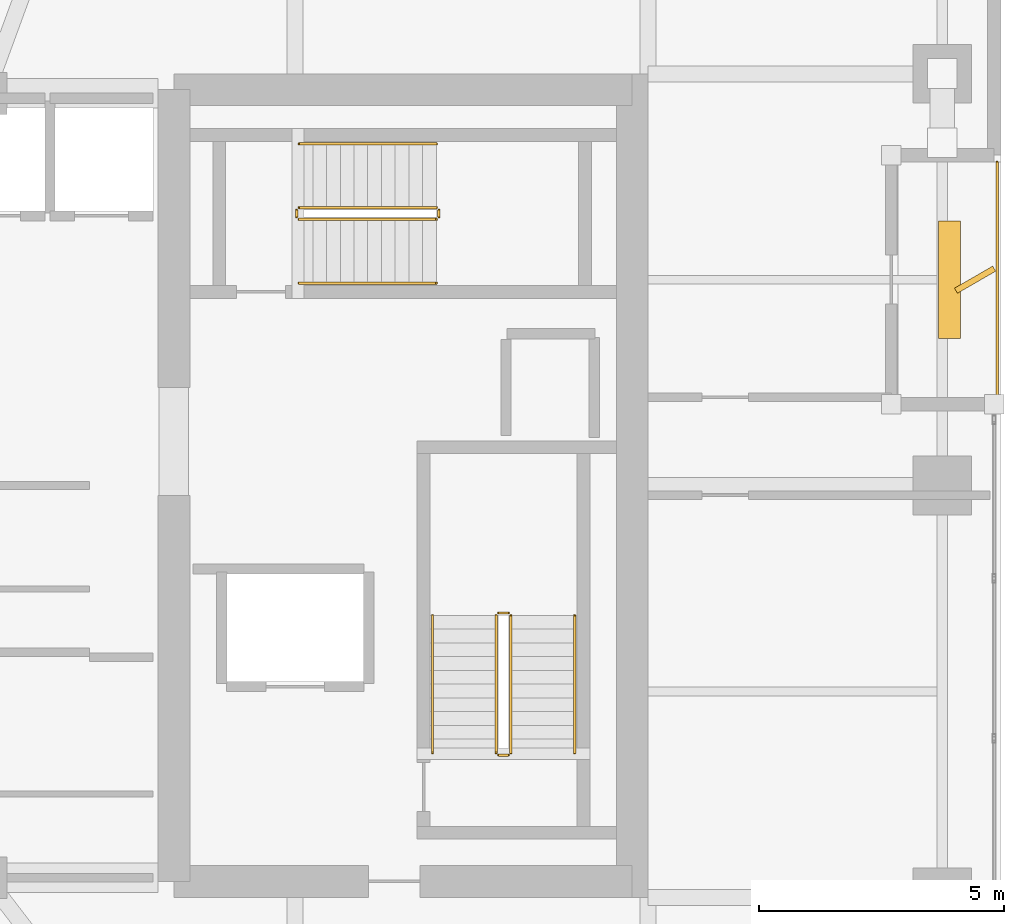
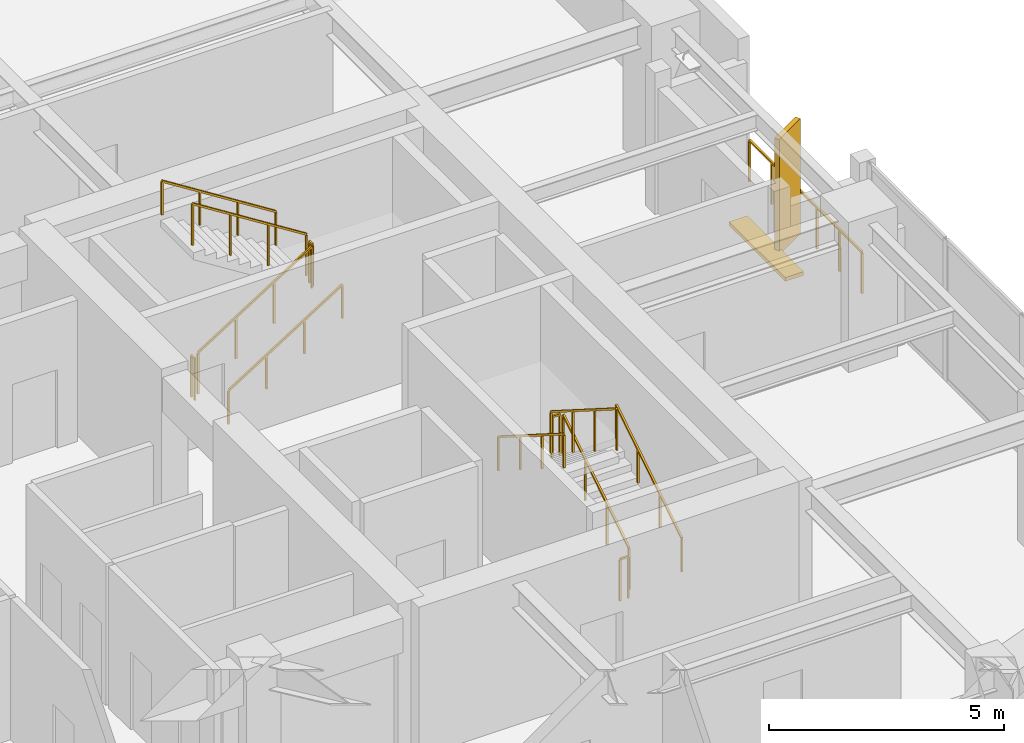
# One storey, part 29 of 30: 13 railings, 2 shading devices.
"""IFC4 building model written with IfcOpenShell, lengths in metres."""

from ifc_helpers import new_model, si_unit, direction, frame, origin, origin_2d, place, context, subcontext, project, spatial, rectangle, extrude, material, type_object, element, save


model = new_model("IFC4")

# Units and contexts
model_context = context("Model", 3, precision=1e-05, world=origin(), true_north=direction((0.0, 1.0)))
body_context = subcontext(model_context, "Body", "Model", "MODEL_VIEW")
ifc_project = project(units=[si_unit("LENGTHUNIT", "METRE"), si_unit("AREAUNIT", "SQUARE_METRE"), si_unit("VOLUMEUNIT", "CUBIC_METRE"), si_unit("PLANEANGLEUNIT", "RADIAN"), si_unit("MASSUNIT", "GRAM", prefix="KILO")], contexts=[model_context])

# Site, building, storey
site_placement = place(None, origin())
site = spatial("IfcSite", under=ifc_project, at=site_placement, CompositionType="ELEMENT")
building_placement = place(site_placement, origin())
building = spatial("IfcBuilding", under=site, at=building_placement, Name="Kiyonajd Concourse Tower", CompositionType="ELEMENT")
storey_placement = place(building_placement, frame((0.0, 0.0, 201.89990234375)))
storey = spatial("IfcBuildingStorey", under=building, at=storey_placement, Name="L51", CompositionType="ELEMENT", Elevation=201.89990234375)

# Railings
ifc_material_1 = material(Name="Thermally Broken Anodised Aluminium", Category="aluminium")
railing_type_1 = type_object("IfcRailingType", Name="RL-GRD-LOG", PredefinedType="GUARDRAIL", material=ifc_material_1)
railing_1_placement = place(storey_placement, frame((70.719970703125, 37.800048828125, 0.0)))
element("IfcRailing", 1, at=railing_1_placement, inside=storey, type_object=railing_type_1, Name="L51 Engawa Loggia Perimeter Guard LOG-E", PredefinedType="GUARDRAIL", context=body_context, shape_type="SweptSolid", body=[
    extrude(rectangle(XDim=0.048095703125, YDim=0.048095703125, at=origin_2d()), frame((0.0, 0.0, 1.076171875), z_axis=(0.0, 1.0, 0.0), x_axis=(-1.0, 0.0, 0.0)), (0.0, 0.0, 1.0), 4.800048828125),
    extrude(rectangle(XDim=0.0419921875, YDim=0.0419921875, at=origin_2d()), origin(), (0.0, 0.0, 1.0), 1.052001953125),
    extrude(rectangle(XDim=0.0419921875, YDim=0.0419921875, at=origin_2d()), frame((0.0, 0.9599609375, 0.0)), (0.0, 0.0, 1.0), 1.052001953125),
    extrude(rectangle(XDim=0.0419921875, YDim=0.0419921875, at=origin_2d()), frame((0.0, 1.919921875, 0.0)), (0.0, 0.0, 1.0), 1.052001953125),
    extrude(rectangle(XDim=0.0419921875, YDim=0.0419921875, at=origin_2d()), frame((0.0, 2.880126953125, 0.0)), (0.0, 0.0, 1.0), 1.052001953125),
    extrude(rectangle(XDim=0.0419921875, YDim=0.0419921875, at=origin_2d()), frame((0.0, 3.840087890625, 0.0)), (0.0, 0.0, 1.0), 1.052001953125),
    extrude(rectangle(XDim=0.0419921875, YDim=0.0419921875, at=origin_2d()), frame((0.0, 4.800048828125, 0.0)), (0.0, 0.0, 1.0), 1.052001953125),
])
ifc_material_2 = material(Name="Steel ASTM A500 Grade C", Category="steel")
railing_type_2 = type_object("IfcRailingType", Name="RL-GRD-STR", PredefinedType="GUARDRAIL", material=ifc_material_2)
railing_2_placement = place(storey_placement, frame((60.800048828125, 30.550048828125, 0.177490234375)))
element("IfcRailing", 2, at=railing_2_placement, inside=storey, type_object=railing_type_2, Name="L51 ST2 stair guard 1", PredefinedType="GUARDRAIL", context=body_context, shape_type="SweptSolid", body=[
    extrude(rectangle(XDim=0.048095703125, YDim=0.048095703125, at=origin_2d()), frame((0.0, 0.0, 1.076171875), z_axis=(0.0, 0.844908973607, 0.534910110503), x_axis=(-1.0, 0.0, 0.0)), (0.0, 0.0, 1.0), 3.31396484375),
    extrude(rectangle(XDim=0.0419921875, YDim=0.0419921875, at=origin_2d()), origin(), (0.0, 0.0, 1.0), 1.052001953125),
    extrude(rectangle(XDim=0.0419921875, YDim=0.0419921875, at=origin_2d()), frame((0.0, 0.933349609375, 0.5908203125)), (0.0, 0.0, 1.0), 1.052001953125),
    extrude(rectangle(XDim=0.0419921875, YDim=0.0419921875, at=origin_2d()), frame((0.0, 1.86669921875, 1.181884765625)), (0.0, 0.0, 1.0), 1.052001953125),
    extrude(rectangle(XDim=0.0419921875, YDim=0.0419921875, at=origin_2d()), frame((0.0, 2.800048828125, 1.772705078125)), (0.0, 0.0, 1.0), 1.052001953125),
])
railing_3_placement = place(storey_placement, frame((60.75, 33.39990234375, 1.9501953125)))
element("IfcRailing", 3, at=railing_3_placement, inside=storey, type_object=railing_type_2, Name="L51 ST2 stair guard 2", PredefinedType="GUARDRAIL", context=body_context, shape_type="SweptSolid", body=[
    extrude(rectangle(XDim=0.048095703125, YDim=0.048095703125, at=origin_2d()), frame((0.0, 0.0, 1.076171875), z_axis=(-1.0, 0.0, 0.0), x_axis=(0.0, -1.0, 0.0)), (0.0, 0.0, 1.0), 0.199951171875),
    extrude(rectangle(XDim=0.0419921875, YDim=0.0419921875, at=origin_2d()), origin(), (0.0, 0.0, 1.0), 1.052001953125),
    extrude(rectangle(XDim=0.0419921875, YDim=0.0419921875, at=origin_2d()), frame((-0.199951171875, 0.0, 0.0)), (0.0, 0.0, 1.0), 1.052001953125),
])
railing_4_placement = place(storey_placement, frame((60.5, 33.35009765625, 2.12744140625)))
element("IfcRailing", 4, at=railing_4_placement, inside=storey, type_object=railing_type_2, Name="L51 ST2 stair guard 3", PredefinedType="GUARDRAIL", context=body_context, shape_type="SweptSolid", body=[
    extrude(rectangle(XDim=0.048095703125, YDim=0.048095703125, at=origin_2d()), frame((0.0, 0.0, 1.076171875), z_axis=(0.0, -0.844908973607, 0.534910110503), x_axis=(1.0, 0.0, 0.0)), (0.0, 0.0, 1.0), 3.31396484375),
    extrude(rectangle(XDim=0.0419921875, YDim=0.0419921875, at=origin_2d()), origin(), (0.0, 0.0, 1.0), 1.052001953125),
    extrude(rectangle(XDim=0.0419921875, YDim=0.0419921875, at=origin_2d()), frame((0.0, -0.933349609375, 0.5908203125)), (0.0, 0.0, 1.0), 1.052001953125),
    extrude(rectangle(XDim=0.0419921875, YDim=0.0419921875, at=origin_2d()), frame((0.0, -1.86669921875, 1.181884765625)), (0.0, 0.0, 1.0), 1.052001953125),
    extrude(rectangle(XDim=0.0419921875, YDim=0.0419921875, at=origin_2d()), frame((0.0, -2.800048828125, 1.772705078125)), (0.0, 0.0, 1.0), 1.052001953125),
])
railing_5_placement = place(storey_placement, frame((60.75, 30.5, 0.0)))
element("IfcRailing", 5, at=railing_5_placement, inside=storey, type_object=railing_type_2, Name="L51 ST2 stair guard 4", PredefinedType="GUARDRAIL", context=body_context, shape_type="SweptSolid", body=[
    extrude(rectangle(XDim=0.048095703125, YDim=0.048095703125, at=origin_2d()), frame((0.0, 0.0, 1.076171875), z_axis=(-1.0, 0.0, 0.0), x_axis=(0.0, -1.0, 0.0)), (0.0, 0.0, 1.0), 0.199951171875),
    extrude(rectangle(XDim=0.0419921875, YDim=0.0419921875, at=origin_2d()), origin(), (0.0, 0.0, 1.0), 1.052001953125),
    extrude(rectangle(XDim=0.0419921875, YDim=0.0419921875, at=origin_2d()), frame((-0.199951171875, 0.0, 0.0)), (0.0, 0.0, 1.0), 1.052001953125),
])
railing_6_placement = place(storey_placement, frame((56.47998046875, 41.429931640625, 0.177490234375)))
element("IfcRailing", 6, at=railing_6_placement, inside=storey, type_object=railing_type_2, Name="L51 ST3 stair guard 1", PredefinedType="GUARDRAIL", context=body_context, shape_type="SweptSolid", body=[
    extrude(rectangle(XDim=0.048095703125, YDim=0.048095703125, at=origin_2d()), frame((0.0, 0.0, 1.076171875), z_axis=(0.844908973607, 0.0, 0.534910110503), x_axis=(0.0, 1.0, 0.0)), (0.0, 0.0, 1.0), 3.31396484375),
    extrude(rectangle(XDim=0.0419921875, YDim=0.0419921875, at=origin_2d()), origin(), (0.0, 0.0, 1.0), 1.052001953125),
    extrude(rectangle(XDim=0.0419921875, YDim=0.0419921875, at=origin_2d()), frame((0.933349609375, 0.0, 0.5908203125)), (0.0, 0.0, 1.0), 1.052001953125),
    extrude(rectangle(XDim=0.0419921875, YDim=0.0419921875, at=origin_2d()), frame((1.86669921875, 0.0, 1.181884765625)), (0.0, 0.0, 1.0), 1.052001953125),
    extrude(rectangle(XDim=0.0419921875, YDim=0.0419921875, at=origin_2d()), frame((2.800048828125, 0.0, 1.772705078125)), (0.0, 0.0, 1.0), 1.052001953125),
])
railing_7_placement = place(storey_placement, frame((59.330078125, 41.47998046875, 1.9501953125)))
element("IfcRailing", 7, at=railing_7_placement, inside=storey, type_object=railing_type_2, Name="L51 ST3 stair guard 2", PredefinedType="GUARDRAIL", context=body_context, shape_type="SweptSolid", body=[
    extrude(rectangle(XDim=0.048095703125, YDim=0.048095703125, at=origin_2d()), frame((0.0, 0.0, 1.076171875), z_axis=(0.0, 1.0, 0.0), x_axis=(-1.0, 0.0, 0.0)), (0.0, 0.0, 1.0), 0.14013671875),
    extrude(rectangle(XDim=0.0419921875, YDim=0.0419921875, at=origin_2d()), origin(), (0.0, 0.0, 1.0), 1.052001953125),
    extrude(rectangle(XDim=0.0419921875, YDim=0.0419921875, at=origin_2d()), frame((0.0, 0.14013671875, 0.0)), (0.0, 0.0, 1.0), 1.052001953125),
])
railing_8_placement = place(storey_placement, frame((59.280029296875, 41.669921875, 2.12744140625)))
element("IfcRailing", 8, at=railing_8_placement, inside=storey, type_object=railing_type_2, Name="L51 ST3 stair guard 3", PredefinedType="GUARDRAIL", context=body_context, shape_type="SweptSolid", body=[
    extrude(rectangle(XDim=0.048095703125, YDim=0.048095703125, at=origin_2d()), frame((0.0, 0.0, 1.076171875), z_axis=(-0.844908973607, 0.0, 0.534910110503), x_axis=(0.0, -1.0, 0.0)), (0.0, 0.0, 1.0), 3.31396484375),
    extrude(rectangle(XDim=0.0419921875, YDim=0.0419921875, at=origin_2d()), origin(), (0.0, 0.0, 1.0), 1.052001953125),
    extrude(rectangle(XDim=0.0419921875, YDim=0.0419921875, at=origin_2d()), frame((-0.933349609375, 0.0, 0.5908203125)), (0.0, 0.0, 1.0), 1.052001953125),
    extrude(rectangle(XDim=0.0419921875, YDim=0.0419921875, at=origin_2d()), frame((-1.86669921875, 0.0, 1.181884765625)), (0.0, 0.0, 1.0), 1.052001953125),
    extrude(rectangle(XDim=0.0419921875, YDim=0.0419921875, at=origin_2d()), frame((-2.800048828125, 0.0, 1.772705078125)), (0.0, 0.0, 1.0), 1.052001953125),
])
railing_9_placement = place(storey_placement, frame((56.429931640625, 41.47998046875, 0.0)))
element("IfcRailing", 9, at=railing_9_placement, inside=storey, type_object=railing_type_2, Name="L51 ST3 stair guard 4", PredefinedType="GUARDRAIL", context=body_context, shape_type="SweptSolid", body=[
    extrude(rectangle(XDim=0.048095703125, YDim=0.048095703125, at=origin_2d()), frame((0.0, 0.0, 1.076171875), z_axis=(0.0, 1.0, 0.0), x_axis=(-1.0, 0.0, 0.0)), (0.0, 0.0, 1.0), 0.14013671875),
    extrude(rectangle(XDim=0.0419921875, YDim=0.0419921875, at=origin_2d()), origin(), (0.0, 0.0, 1.0), 1.052001953125),
    extrude(rectangle(XDim=0.0419921875, YDim=0.0419921875, at=origin_2d()), frame((0.0, 0.14013671875, 0.0)), (0.0, 0.0, 1.0), 1.052001953125),
])
ifc_material_3 = material(Name="Brushed Stainless Steel Cab Assembly", Category="steel")
railing_type_3 = type_object("IfcRailingType", Name="RL-HND-900", PredefinedType="HANDRAIL", material=ifc_material_3)
railing_10_placement = place(storey_placement, frame((62.10009765625, 30.550048828125, 0.177490234375)))
element("IfcRailing", 10, at=railing_10_placement, inside=storey, type_object=railing_type_3, Name="L51 ST2 stair handrail 1", PredefinedType="HANDRAIL", context=body_context, shape_type="SweptSolid", body=[
    extrude(rectangle(XDim=0.048095703125, YDim=0.048095703125, at=origin_2d()), frame((0.0, 0.0, 0.8759765625), z_axis=(0.0, 0.844908973607, 0.534910110503), x_axis=(-1.0, 0.0, 0.0)), (0.0, 0.0, 1.0), 3.31396484375),
    extrude(rectangle(XDim=0.0419921875, YDim=0.0419921875, at=origin_2d()), origin(), (0.0, 0.0, 1.0), 0.851806640625),
    extrude(rectangle(XDim=0.0419921875, YDim=0.0419921875, at=origin_2d()), frame((0.0, 0.933349609375, 0.5908203125)), (0.0, 0.0, 1.0), 0.851806640625),
    extrude(rectangle(XDim=0.0419921875, YDim=0.0419921875, at=origin_2d()), frame((0.0, 1.86669921875, 1.181884765625)), (0.0, 0.0, 1.0), 0.851806640625),
    extrude(rectangle(XDim=0.0419921875, YDim=0.0419921875, at=origin_2d()), frame((0.0, 2.800048828125, 1.772705078125)), (0.0, 0.0, 1.0), 0.851806640625),
])
railing_11_placement = place(storey_placement, frame((59.199951171875, 33.35009765625, 2.12744140625)))
element("IfcRailing", 11, at=railing_11_placement, inside=storey, type_object=railing_type_3, Name="L51 ST2 stair handrail 2", PredefinedType="HANDRAIL", context=body_context, shape_type="SweptSolid", body=[
    extrude(rectangle(XDim=0.048095703125, YDim=0.048095703125, at=origin_2d()), frame((0.0, 0.0, 0.8759765625), z_axis=(0.0, -0.844908973607, 0.534910110503), x_axis=(1.0, 0.0, 0.0)), (0.0, 0.0, 1.0), 3.31396484375),
    extrude(rectangle(XDim=0.0419921875, YDim=0.0419921875, at=origin_2d()), origin(), (0.0, 0.0, 1.0), 0.851806640625),
    extrude(rectangle(XDim=0.0419921875, YDim=0.0419921875, at=origin_2d()), frame((0.0, -0.933349609375, 0.5908203125)), (0.0, 0.0, 1.0), 0.851806640625),
    extrude(rectangle(XDim=0.0419921875, YDim=0.0419921875, at=origin_2d()), frame((0.0, -1.86669921875, 1.181884765625)), (0.0, 0.0, 1.0), 0.851806640625),
    extrude(rectangle(XDim=0.0419921875, YDim=0.0419921875, at=origin_2d()), frame((0.0, -2.800048828125, 1.772705078125)), (0.0, 0.0, 1.0), 0.851806640625),
])
railing_12_placement = place(storey_placement, frame((56.47998046875, 40.1298828125, 0.177490234375)))
element("IfcRailing", 12, at=railing_12_placement, inside=storey, type_object=railing_type_3, Name="L51 ST3 stair handrail 1", PredefinedType="HANDRAIL", context=body_context, shape_type="SweptSolid", body=[
    extrude(rectangle(XDim=0.048095703125, YDim=0.048095703125, at=origin_2d()), frame((0.0, 0.0, 0.8759765625), z_axis=(0.844908973607, 0.0, 0.534910110503), x_axis=(0.0, 1.0, 0.0)), (0.0, 0.0, 1.0), 3.31396484375),
    extrude(rectangle(XDim=0.0419921875, YDim=0.0419921875, at=origin_2d()), origin(), (0.0, 0.0, 1.0), 0.851806640625),
    extrude(rectangle(XDim=0.0419921875, YDim=0.0419921875, at=origin_2d()), frame((0.933349609375, 0.0, 0.5908203125)), (0.0, 0.0, 1.0), 0.851806640625),
    extrude(rectangle(XDim=0.0419921875, YDim=0.0419921875, at=origin_2d()), frame((1.86669921875, 0.0, 1.181884765625)), (0.0, 0.0, 1.0), 0.851806640625),
    extrude(rectangle(XDim=0.0419921875, YDim=0.0419921875, at=origin_2d()), frame((2.800048828125, 0.0, 1.772705078125)), (0.0, 0.0, 1.0), 0.851806640625),
])
railing_13_placement = place(storey_placement, frame((59.280029296875, 42.969970703125, 2.12744140625)))
element("IfcRailing", 13, at=railing_13_placement, inside=storey, type_object=railing_type_3, Name="L51 ST3 stair handrail 2", PredefinedType="HANDRAIL", context=body_context, shape_type="SweptSolid", body=[
    extrude(rectangle(XDim=0.048095703125, YDim=0.048095703125, at=origin_2d()), frame((0.0, 0.0, 0.8759765625), z_axis=(-0.844908973607, 0.0, 0.534910110503), x_axis=(0.0, -1.0, 0.0)), (0.0, 0.0, 1.0), 3.31396484375),
    extrude(rectangle(XDim=0.0419921875, YDim=0.0419921875, at=origin_2d()), origin(), (0.0, 0.0, 1.0), 0.851806640625),
    extrude(rectangle(XDim=0.0419921875, YDim=0.0419921875, at=origin_2d()), frame((-0.933349609375, 0.0, 0.5908203125)), (0.0, 0.0, 1.0), 0.851806640625),
    extrude(rectangle(XDim=0.0419921875, YDim=0.0419921875, at=origin_2d()), frame((-1.86669921875, 0.0, 1.181884765625)), (0.0, 0.0, 1.0), 0.851806640625),
    extrude(rectangle(XDim=0.0419921875, YDim=0.0419921875, at=origin_2d()), frame((-2.800048828125, 0.0, 1.772705078125)), (0.0, 0.0, 1.0), 0.851806640625),
])

# Shading devices
ifc_material_4 = material(Name="Precast concrete C50/60", Category="concrete")
shading_device_type_1 = type_object("IfcShadingDeviceType", Name="SH-FIN-900", PredefinedType="USERDEFINED", material=ifc_material_4)
shading_device_1_placement = place(storey_placement, frame((70.27001953125, 40.199951171875, 0.0), z_axis=(0.0, 0.0, 1.0), x_axis=(0.866025403784, 0.5, 0.0)))
element("IfcShadingDevice", 14, at=shading_device_1_placement, inside=storey, type_object=shading_device_type_1, Name="L51 Angled Koshi Solar Fin LOG-E", ObjectType="FIN", PredefinedType="USERDEFINED", context=body_context, shape_type="SweptSolid", body=[
    extrude(rectangle(XDim=0.89990234375, YDim=0.1201171875, at=origin_2d()), origin(), (0.0, 0.0, 1.0), 3.0),
])
shading_device_type_2 = type_object("IfcShadingDeviceType", Name="SH-LVR-600", PredefinedType="JALOUSIE", material=ifc_material_1)
shading_device_2_placement = place(storey_placement, frame((69.75, 40.199951171875, 0.0), z_axis=(0.0, 0.0, 1.0), x_axis=(0.0, 1.0, 0.0)))
element("IfcShadingDevice", 15, at=shading_device_2_placement, inside=storey, type_object=shading_device_type_2, Name="L51 Loggia Threshold Louver LOG-E", PredefinedType="JALOUSIE", context=body_context, shape_type="SweptSolid", body=[
    extrude(rectangle(XDim=2.39990234375, YDim=0.449951171875, at=origin_2d()), origin(), (0.0, 0.0, 1.0), 0.10009765625),
])

save(model, "model.ifc")
